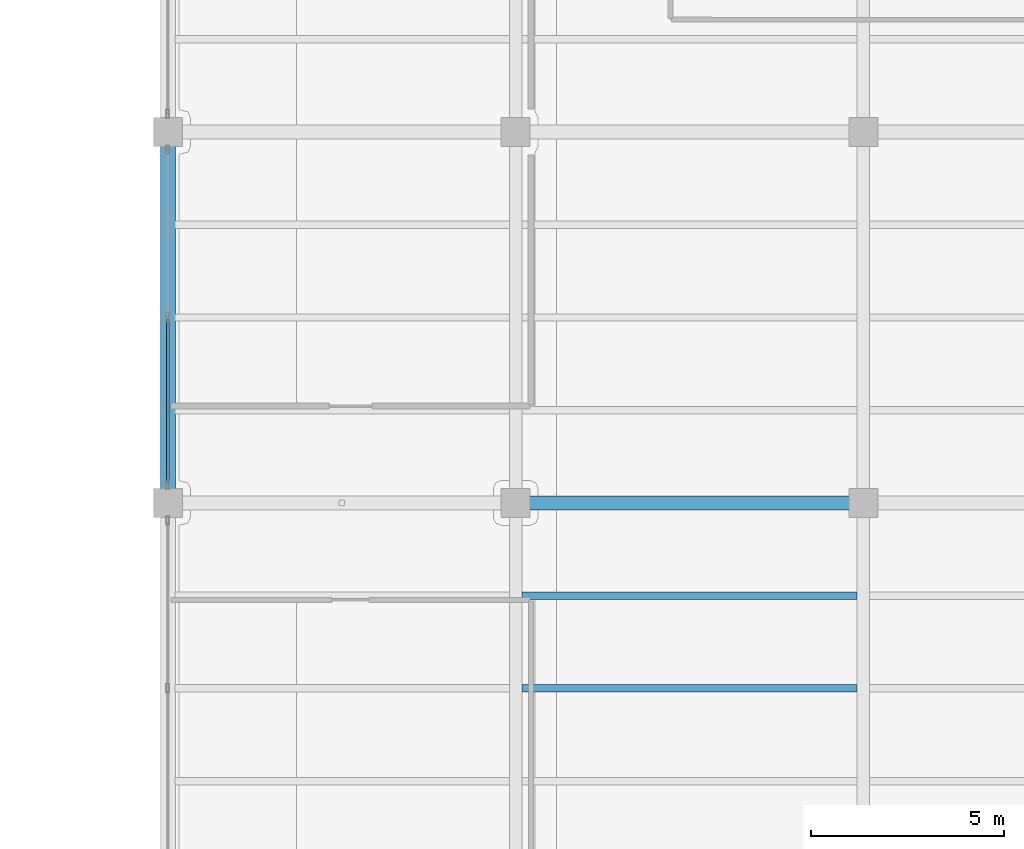
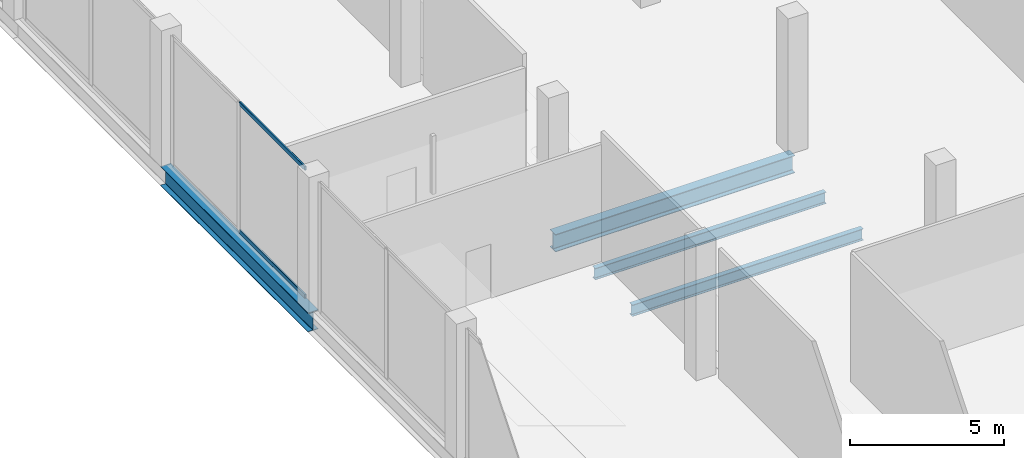
# One storey, part 8 of 47: 4 beams, 2 members, 1 element without a shape of its own.
"""IFC4 building model written with IfcOpenShell, lengths in metres."""

from ifc_helpers import new_model, si_unit, direction, frame, origin, origin_2d, place, context, subcontext, project, spatial, hollow_rectangle, i_section, extrude, material, layer, layer_set, material_profile, profile_set, type_object, element, aggregate, save


model = new_model("IFC4")

# Units and contexts
model_context = context("Model", 3, precision=1e-05, world=origin(), true_north=direction((0.0, 1.0)))
body_context = subcontext(model_context, "Body", "Model", "MODEL_VIEW")
ifc_project = project(units=[si_unit("LENGTHUNIT", "METRE"), si_unit("AREAUNIT", "SQUARE_METRE"), si_unit("VOLUMEUNIT", "CUBIC_METRE"), si_unit("PLANEANGLEUNIT", "RADIAN"), si_unit("MASSUNIT", "GRAM", prefix="KILO")], contexts=[model_context])

# Site, building, storey
site_placement = place(None, origin())
site = spatial("IfcSite", under=ifc_project, at=site_placement, CompositionType="ELEMENT")
building_placement = place(site_placement, origin())
building = spatial("IfcBuilding", under=site, at=building_placement, Name="Qorvath Tower", CompositionType="ELEMENT")
storey_placement = place(building_placement, frame((0.0, 0.0, 6.60009765625)))
storey = spatial("IfcBuildingStorey", under=building, at=storey_placement, Name="L01", CompositionType="ELEMENT", Elevation=6.60009765625)

# Beams
ifc_material_1 = material(Name="Steel ASTM A992 Grade 50", Category="steel")
ifc_material_profile_1 = material_profile(ifc_material_1, i_section(OverallWidth=0.381103515625, OverallDepth=0.77294921875, WebThickness=0.0166015625, FlangeThickness=0.027099609375, FilletRadius=0.01904296875, at=origin_2d()), Name="W30x173")
ifc_profile_set_1 = profile_set([ifc_material_profile_1], Name="Steel ASTM A992 Grade 50")
beam_type_1 = type_object("IfcBeamType", Name="BM-FG3", PredefinedType="BEAM", material=ifc_profile_set_1)
beam_1_placement = place(storey_placement, frame((32.39990234375, 0.0, -0.646484375), z_axis=(0.0, 1.0, 0.0), x_axis=(-1.0, 0.0, 0.0)))
element("IfcBeam", 1, at=beam_1_placement, inside=storey, type_object=beam_type_1, Name="Library N-S Girder L01-1-5", PredefinedType="BEAM", context=body_context, shape_type="SweptSolid", body=[
    extrude(i_section(OverallWidth=0.381103515625, OverallDepth=0.77294921875, WebThickness=0.0166015625, FlangeThickness=0.027099609375, FilletRadius=0.01904296875, at=origin_2d()), origin(), (0.0, 0.0, 1.0), 9.60009765625),
])
ifc_material_2 = material(Name="Steel ASTM A992 Grade 50", Category="steel")
ifc_material_profile_2 = material_profile(ifc_material_2, i_section(OverallWidth=0.35595703125, OverallDepth=0.696044921875, WebThickness=0.015380859375, FlangeThickness=0.02490234375, FilletRadius=0.01806640625, at=origin_2d()), Name="W27x146")
ifc_profile_set_2 = profile_set([ifc_material_profile_2], Name="Steel ASTM A992 Grade 50")
beam_type_2 = type_object("IfcBeamType", Name="BM-FG4", PredefinedType="BEAM", material=ifc_profile_set_2)
beam_2_placement = place(storey_placement, frame((41.39990234375, 0.0, -0.60791015625), z_axis=(1.0, 0.0, 0.0), x_axis=(0.0, 1.0, 0.0)))
element("IfcBeam", 2, at=beam_2_placement, inside=storey, type_object=beam_type_2, Name="Library E-W Girder L01-5-2", PredefinedType="BEAM", context=body_context, shape_type="SweptSolid", body=[
    extrude(i_section(OverallWidth=0.35595703125, OverallDepth=0.696044921875, WebThickness=0.015380859375, FlangeThickness=0.02490234375, FilletRadius=0.01806640625, at=origin_2d()), origin(), (0.0, 0.0, 1.0), 9.0),
])
ifc_material_3 = material(Name="Steel ASTM A992 Grade 50", Category="steel")
ifc_material_profile_3 = material_profile(ifc_material_3, i_section(OverallWidth=0.18994140625, OverallDepth=0.45703125, WebThickness=0.009033203125, FlangeThickness=0.014404296875, FilletRadius=0.011962890625, at=origin_2d()), Name="W18x50")
ifc_profile_set_3 = profile_set([ifc_material_profile_3], Name="Steel ASTM A992 Grade 50")
beam_type_3 = type_object("IfcBeamType", Name="BM-FJ2", PredefinedType="JOIST", material=ifc_profile_set_3)
for number, where, z_axis, x_axis, name in (
    (3, (41.560546875, -4.800048828125, -0.488525390625), (1.0, 0.0, 0.0), (0.0, 1.0, 0.0), "Library Stack Joist L01-4.2-2"),
    (4, (41.560546875, -2.39990234375, -0.488525390625), (1.0, 0.0, 0.0), (0.0, 1.0, 0.0), "Library Stack Joist L01-4.3-2"),
):
    element("IfcBeam", number, at=place(storey_placement, frame(where, z_axis=z_axis, x_axis=x_axis)), inside=storey, type_object=beam_type_3, Name=name, PredefinedType="JOIST", context=body_context, shape_type="SweptSolid", body=[
        extrude(i_section(OverallWidth=0.18994140625, OverallDepth=0.45703125, WebThickness=0.009033203125, FlangeThickness=0.014404296875, FilletRadius=0.011962890625, at=origin_2d()), origin(), (0.0, 0.0, 1.0), 8.678955078125),
    ])

# Curtain wall, members
ifc_material_4 = material(Name="Anodised aluminium and triple low-E glass", Category="aluminium")
ifc_layer = layer(ifc_material_4, 0.179931640625)
ifc_layer_set = layer_set([ifc_layer], Name="CW-SYS-6")
curtain_wall_type = type_object("IfcCurtainWallType", Name="CW-SYS-6", PredefinedType="NOTDEFINED", material=ifc_layer_set)
curtain_wall_placement = place(storey_placement, origin())
curtain_wall = element("IfcCurtainWall", 5, at=curtain_wall_placement, inside=storey, type_object=curtain_wall_type, Name="Curtain Wall CW-6 CW-LIB-W-L01-5", PredefinedType="NOTDEFINED")
ifc_material_5 = material(Name="Anodised aluminium 6063-T6", Category="aluminium")
ifc_material_profile_4 = material_profile(ifc_material_5, hollow_rectangle(XDim=0.06494140625, YDim=0.159912109375, WallThickness=0.00341796875, InnerFilletRadius=0.00341796875, OuterFilletRadius=0.007080078125, at=origin_2d()), Name="CWT 160x65")
ifc_profile_set_4 = profile_set([ifc_material_profile_4], Name="Anodised aluminium 6063-T6")
member_type = type_object("IfcMemberType", Name="CWT-160", PredefinedType="USERDEFINED", material=ifc_profile_set_4)
member_1_placement = place(storey_placement, frame((32.39990234375, 0.5, 0.032470703125), z_axis=(0.0, 1.0, 0.0), x_axis=(-1.0, 0.0, 0.0)))
member_1 = element("IfcMember", 6, at=member_1_placement, type_object=member_type, Name="CW-6 transom 1.1", ObjectType="TRANSOM", PredefinedType="USERDEFINED", context=body_context, shape_type="SweptSolid", body=[
    extrude(hollow_rectangle(XDim=0.06494140625, YDim=0.159912109375, WallThickness=0.00341796875, InnerFilletRadius=0.00341796875, OuterFilletRadius=0.007080078125, at=origin_2d()), origin(), (0.0, 0.0, 1.0), 4.260009765625),
])
member_2_placement = place(storey_placement, frame((32.39990234375, 0.5, 5.107421875), z_axis=(0.0, 1.0, 0.0), x_axis=(-1.0, 0.0, 0.0)))
member_2 = element("IfcMember", 7, at=member_2_placement, type_object=member_type, Name="CW-6 transom 1.2", ObjectType="TRANSOM", PredefinedType="USERDEFINED", context=body_context, shape_type="SweptSolid", body=[
    extrude(hollow_rectangle(XDim=0.06494140625, YDim=0.159912109375, WallThickness=0.00341796875, InnerFilletRadius=0.00341796875, OuterFilletRadius=0.007080078125, at=origin_2d()), origin(), (0.0, 0.0, 1.0), 4.260009765625),
])
aggregate(curtain_wall, [member_1, member_2])

save(model, "model.ifc")
